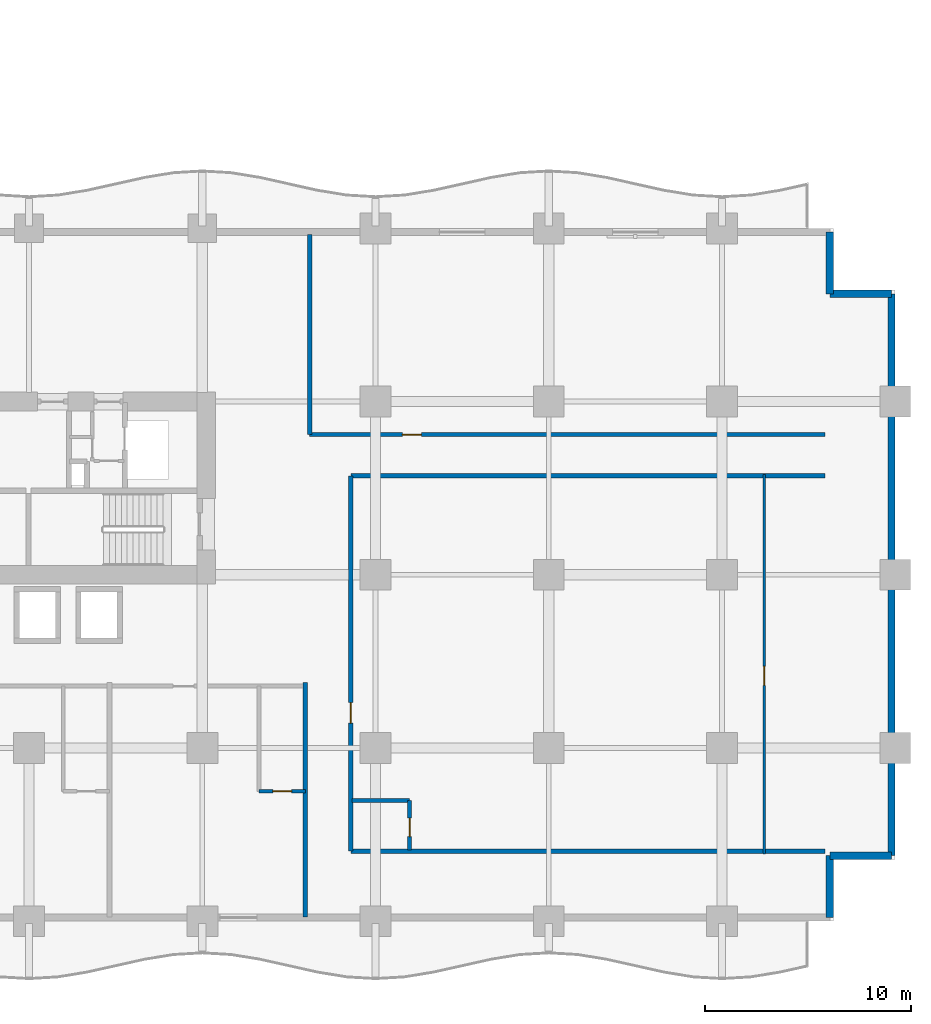
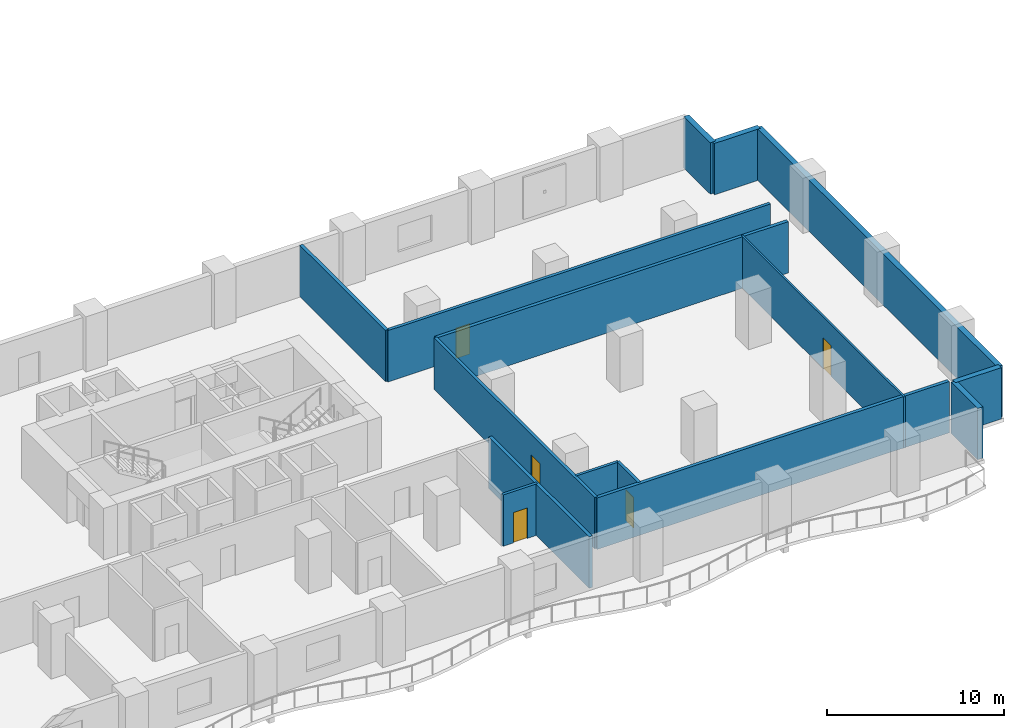
# One storey, part 14 of 22: 15 walls, 5 doors, 5 openings.
"""IFC4 building model written with IfcOpenShell, lengths in metres."""

from ifc_helpers import new_model, si_unit, direction, frame, frame_2d, origin, place, context, subcontext, project, spatial, rectangle, extrude, material, layer, layer_set, type_object, element, fill, save


model = new_model("IFC4")

# Units and contexts
model_context = context("Model", 3, precision=1e-05, world=origin(), true_north=direction((0.0, 1.0)))
body_context = subcontext(model_context, "Body", "Model", "MODEL_VIEW")
ifc_project = project(units=[si_unit("LENGTHUNIT", "METRE"), si_unit("AREAUNIT", "SQUARE_METRE"), si_unit("VOLUMEUNIT", "CUBIC_METRE"), si_unit("PLANEANGLEUNIT", "RADIAN"), si_unit("MASSUNIT", "GRAM", prefix="KILO")], contexts=[model_context])

# Site, building, storey
site_placement = place(None, origin())
site = spatial("IfcSite", under=ifc_project, at=site_placement, CompositionType="ELEMENT")
building_placement = place(site_placement, origin())
building = spatial("IfcBuilding", under=site, at=building_placement, Name="Koriwani Terraces Tower", CompositionType="ELEMENT")
storey_placement = place(building_placement, frame((0.0, 0.0, 62.39990234375)))
storey = spatial("IfcBuildingStorey", under=building, at=storey_placement, Name="L14", CompositionType="ELEMENT", Elevation=62.39990234375)

# Wall, opening, door
ifc_material_1 = material(Name="Autoclaved Cellular Concrete Blockwork", Category="masonry")
ifc_layer_1 = layer(ifc_material_1, 0.199951171875, Name="Autoclaved Cellular Concrete Blockwork")
ifc_layer_set_1 = layer_set([ifc_layer_1], Name="Autoclaved Cellular Concrete Blockwork")
wall_type_1 = type_object("IfcWallType", Name="WALL_CORRIDOR_200", PredefinedType="PARTITIONING", material=ifc_layer_set_1)
wall_1_placement = place(storey_placement, frame((66.0, 3.39990234375, 0.0), z_axis=(0.0, 0.0, 1.0), x_axis=(0.0, 1.0, 0.0)))
wall_1 = element("IfcWall", 1, at=wall_1_placement, inside=storey, type_object=wall_type_1, Name="L14 Interior Wall WGB-L14-ETIP-W", PredefinedType="PARTITIONING", context=body_context, shape_type="SweptSolid", body=[
    extrude(rectangle(XDim=18.2001953125, YDim=0.199951171875, at=frame_2d((9.10009765625, 0.0))), origin(), (0.0, 0.0, 1.0), 3.550048828125),
])
opening_1_placement = place(wall_1_placement, frame((6.199951171875, 0.0, 0.0)))
opening_1 = element("IfcOpeningElement", 2, at=opening_1_placement, cuts=wall_1, Name="Opening D-05", PredefinedType="OPENING", context=body_context, shape_type="SweptSolid", body=[
    extrude(rectangle(XDim=1.0, YDim=2.14990234375, at=frame_2d((0.5, 1.074951171875))), frame((0.0, 0.10986328125, 0.0), z_axis=(0.0, -1.0, 0.0), x_axis=(1.0, 0.0, 0.0)), (0.0, 0.0, 1.0), 0.219970703125),
])
ifc_material_2 = material(Name="Architectural Oak Fire Door", Category="wood")
door_type_1 = type_object("IfcDoorType", Name="DOOR_SUITE_ENTRY_1000X2150", OperationType="NOTDEFINED", PredefinedType="DOOR", material=ifc_material_2)
door_1_placement = place(opening_1_placement, origin())
door_1 = element("IfcDoor", 3, at=door_1_placement, inside=storey, type_object=door_type_1, Name="Ambassador Wing Suite 14E Entrance Door", OperationType="SINGLE_SWING_RIGHT", OverallHeight=2.14990234375, OverallWidth=1.0, PredefinedType="DOOR", context=body_context, shape_type="SweptSolid", body=[
    extrude(rectangle(XDim=1.0, YDim=2.14990234375, at=frame_2d((0.5, 1.074951171875))), frame((0.0, 0.02490234375, 0.0), z_axis=(0.0, -1.0, 0.0), x_axis=(1.0, 0.0, 0.0)), (0.0, 0.0, 1.0), 0.050048828125),
])
fill(opening_1, door_1)

wall_2_placement = place(storey_placement, frame((64.0, 23.60009765625, 0.0), z_axis=(0.0, 0.0, 1.0), x_axis=(1.0, 0.0, 0.0)))
wall_2 = element("IfcWall", 4, at=wall_2_placement, inside=storey, type_object=wall_type_1, Name="L14 Interior Wall WETIP2-S-L14", PredefinedType="PARTITIONING", context=body_context, shape_type="SweptSolid", body=[
    extrude(rectangle(XDim=25.0, YDim=0.199951171875, at=frame_2d((12.5, 0.0))), origin(), (0.0, 0.0, 1.0), 3.550048828125),
])
opening_2_placement = place(wall_2_placement, frame((4.5, 0.0, 0.0)))
opening_2 = element("IfcOpeningElement", 5, at=opening_2_placement, cuts=wall_2, Name="Opening D-06", PredefinedType="OPENING", context=body_context, shape_type="SweptSolid", body=[
    extrude(rectangle(XDim=0.919921875, YDim=2.10009765625, at=frame_2d((0.4599609375, 1.050048828125))), frame((0.0, 0.10986328125, 0.0), z_axis=(0.0, -1.0, 0.0), x_axis=(1.0, 0.0, 0.0)), (0.0, 0.0, 1.0), 0.219970703125),
])
door_type_2 = type_object("IfcDoorType", Name="DOOR_ROOM_INT_920X2100", OperationType="NOTDEFINED", PredefinedType="DOOR", material=ifc_material_2)
door_2_placement = place(opening_2_placement, origin())
door_2 = element("IfcDoor", 6, at=door_2_placement, inside=storey, type_object=door_type_2, Name="L14 East Panorama Salon Door", OperationType="SINGLE_SWING_LEFT", OverallHeight=2.10009765625, OverallWidth=0.919921875, PredefinedType="DOOR", context=body_context, shape_type="SweptSolid", body=[
    extrude(rectangle(XDim=0.919921875, YDim=2.10009765625, at=frame_2d((0.4599609375, 1.050048828125))), frame((0.0, 0.02490234375, 0.0), z_axis=(0.0, -1.0, 0.0), x_axis=(1.0, 0.0, 0.0)), (0.0, 0.0, 1.0), 0.050048828125),
])
fill(opening_2, door_2)

# Walls
ifc_layer_2 = layer(ifc_material_1, 0.219970703125, Name="Autoclaved Cellular Concrete Blockwork")
ifc_layer_set_2 = layer_set([ifc_layer_2], Name="Autoclaved Cellular Concrete Blockwork")
wall_type_2 = type_object("IfcWallType", Name="WALL_DEMISING_220", PredefinedType="PARTITIONING", material=ifc_layer_set_2)
wall_3_placement = place(storey_placement, frame((63.800048828125, 0.199951171875, 0.0), z_axis=(0.0, 0.0, 1.0), x_axis=(0.0, 1.0, 0.0)))
element("IfcWall", 7, at=wall_3_placement, inside=storey, type_object=wall_type_2, Name="L14 Interior Wall WDEME-L14-SW", PredefinedType="PARTITIONING", context=body_context, shape_type="SweptSolid", body=[
    extrude(rectangle(XDim=11.380126953125, YDim=0.219970703125, at=frame_2d((5.68994140625, 0.0))), origin(), (0.0, 0.0, 1.0), 3.550048828125),
])
for number, where, z_axis, x_axis, name in (
    (8, (66.0, 3.39990234375, 0.0), (0.0, 0.0, 1.0), (1.0, 0.0, 0.0), "L14 Interior Wall WGB-L14-ETIP-S"),
    (9, (66.0, 21.60009765625, 0.0), (0.0, 0.0, 1.0), (1.0, 0.0, 0.0), "L14 Interior Wall WGB-L14-ETIP-N"),
):
    element("IfcWall", number, at=place(storey_placement, frame(where, z_axis=z_axis, x_axis=x_axis)), inside=storey, type_object=wall_type_2, Name=name, PredefinedType="PARTITIONING", context=body_context, shape_type="SweptSolid", body=[
        extrude(rectangle(XDim=23.0, YDim=0.219970703125, at=frame_2d((11.5, 0.0))), origin(), (0.0, 0.0, 1.0), 3.550048828125),
    ])
wall_4_placement = place(storey_placement, frame((64.0, 23.60009765625, 0.0), z_axis=(0.0, 0.0, 1.0), x_axis=(0.0, 1.0, 0.0)))
element("IfcWall", 10, at=wall_4_placement, inside=storey, type_object=wall_type_2, Name="L14 Interior Wall WETIP2-W-L14", PredefinedType="PARTITIONING", context=body_context, shape_type="SweptSolid", body=[
    extrude(rectangle(XDim=9.699951171875, YDim=0.219970703125, at=frame_2d((4.85009765625, 0.0))), origin(), (0.0, 0.0, 1.0), 3.550048828125),
])
ifc_material_3 = material(Name="Concrete C50/60", Category="concrete")
ifc_layer_3 = layer(ifc_material_3, 0.35009765625, Name="Concrete C50/60")
ifc_layer_set_3 = layer_set([ifc_layer_3], Name="Concrete C50/60")
wall_type_3 = type_object("IfcWallType", Name="WALL_EXT_BRUTALIST_350", PredefinedType="STANDARD", material=ifc_layer_set_3)
for number, where, z_axis, x_axis, name in (
    (11, (89.22509765625, 33.425048828125, 0.0), (0.0, 0.0, 1.0), (0.0, -1.0, 0.0), "L14 Fair-Faced Brutalist Exterior Wall (N10)"),
    (12, (89.22509765625, 30.425048828125, 0.0), (0.0, 0.0, 1.0), (1.0, 0.0, 0.0), "L14 Fair-Faced Brutalist Exterior Wall (N11)"),
):
    element("IfcWall", number, at=place(storey_placement, frame(where, z_axis=z_axis, x_axis=x_axis)), inside=storey, type_object=wall_type_3, Name=name, PredefinedType="STANDARD", context=body_context, shape_type="SweptSolid", body=[
        extrude(rectangle(XDim=3.0, YDim=0.35009765625, at=frame_2d((1.5, 0.0))), origin(), (0.0, 0.0, 1.0), 3.550048828125),
    ])
wall_5_placement = place(storey_placement, frame((92.22509765625, 30.425048828125, 0.0), z_axis=(0.0, 0.0, 1.0), x_axis=(0.0, -1.0, 0.0)))
element("IfcWall", 13, at=wall_5_placement, inside=storey, type_object=wall_type_3, Name="L14 Fair-Faced Brutalist Exterior Wall (E_TIP)", PredefinedType="STANDARD", context=body_context, shape_type="SweptSolid", body=[
    extrude(rectangle(XDim=27.25, YDim=0.35009765625, at=frame_2d((13.625, 0.0))), origin(), (0.0, 0.0, 1.0), 3.550048828125),
])
for number, where, z_axis, x_axis, name in (
    (14, (92.22509765625, 3.175048828125, 0.0), (0.0, 0.0, 1.0), (-1.0, 0.0, 0.0), "L14 Fair-Faced Brutalist Exterior Wall (N13)"),
    (15, (89.22509765625, 3.175048828125, 0.0), (0.0, 0.0, 1.0), (0.0, -1.0, 0.0), "L14 Fair-Faced Brutalist Exterior Wall (N14)"),
):
    element("IfcWall", number, at=place(storey_placement, frame(where, z_axis=z_axis, x_axis=x_axis)), inside=storey, type_object=wall_type_3, Name=name, PredefinedType="STANDARD", context=body_context, shape_type="SweptSolid", body=[
        extrude(rectangle(XDim=3.0, YDim=0.35009765625, at=frame_2d((1.5, 0.0))), origin(), (0.0, 0.0, 1.0), 3.550048828125),
    ])

# Wall, opening, door
ifc_material_4 = material(Name="Fire-Rated Acoustic Gypsum Partition", Category="masonry")
ifc_layer_4 = layer(ifc_material_4, 0.125, Name="Fire-Rated Acoustic Gypsum Partition")
ifc_layer_set_4 = layer_set([ifc_layer_4], Name="Fire-Rated Acoustic Gypsum Partition")
wall_type_4 = type_object("IfcWallType", Name="WALL_INT_125", PredefinedType="PARTITIONING", material=ifc_layer_set_4)
wall_6_placement = place(storey_placement, frame((86.050048828125, 3.25, 0.0), z_axis=(0.0, 0.0, 1.0), x_axis=(0.0, 1.0, 0.0)))
wall_6 = element("IfcWall", 16, at=wall_6_placement, inside=storey, type_object=wall_type_4, Name="L14 Interior Wall WGB-L14-ETIP-BD", PredefinedType="PARTITIONING", context=body_context, shape_type="SweptSolid", body=[
    extrude(rectangle(XDim=18.39990234375, YDim=0.125, at=frame_2d((9.199951171875, 0.0))), origin(), (0.0, 0.0, 1.0), 3.550048828125),
])
opening_3_placement = place(wall_6_placement, frame((8.18994140625, 0.0, 0.0)))
opening_3 = element("IfcOpeningElement", 17, at=opening_3_placement, cuts=wall_6, Name="Opening D-06", PredefinedType="OPENING", context=body_context, shape_type="SweptSolid", body=[
    extrude(rectangle(XDim=0.919921875, YDim=2.10009765625, at=frame_2d((0.4599609375, 1.050048828125))), frame((0.0, 0.072509765625, 0.0), z_axis=(0.0, -1.0, 0.0), x_axis=(1.0, 0.0, 0.0)), (0.0, 0.0, 1.0), 0.14501953125),
])
door_3_placement = place(opening_3_placement, origin())
door_3 = element("IfcDoor", 18, at=door_3_placement, inside=storey, type_object=door_type_2, Name="Ambassador Wing Suite 14E Master Suite Door", OperationType="SINGLE_SWING_RIGHT", OverallHeight=2.10009765625, OverallWidth=0.919921875, PredefinedType="DOOR", context=body_context, shape_type="SweptSolid", body=[
    extrude(rectangle(XDim=0.919921875, YDim=2.10009765625, at=frame_2d((0.4599609375, 1.050048828125))), frame((0.0, 0.02490234375, 0.0), z_axis=(0.0, -1.0, 0.0), x_axis=(1.0, 0.0, 0.0)), (0.0, 0.0, 1.0), 0.050048828125),
])
fill(opening_3, door_3)

ifc_layer_5 = layer(ifc_material_4, 0.179931640625, Name="Fire-Rated Acoustic Gypsum Partition")
ifc_layer_set_5 = layer_set([ifc_layer_5], Name="Fire-Rated Acoustic Gypsum Partition")
wall_type_5 = type_object("IfcWallType", Name="WALL_PLUMBING_180", PredefinedType="PLUMBINGWALL", material=ifc_layer_set_5)
wall_7_placement = place(storey_placement, frame((61.550048828125, 6.300048828125, 0.0), z_axis=(0.0, 0.0, 1.0), x_axis=(1.0, 0.0, 0.0)))
wall_7 = element("IfcWall", 19, at=wall_7_placement, inside=storey, type_object=wall_type_5, Name="L14 Interior Wall WBTH1-L14-SW-4", PredefinedType="PLUMBINGWALL", context=body_context, shape_type="SweptSolid", body=[
    extrude(rectangle(XDim=2.25, YDim=0.179931640625, at=frame_2d((1.125, 0.0))), origin(), (0.0, 0.0, 1.0), 3.550048828125),
])
opening_4_placement = place(wall_7_placement, frame((0.675048828125, 0.0, 0.0)))
opening_4 = element("IfcOpeningElement", 20, at=opening_4_placement, cuts=wall_7, Name="Opening D-07", PredefinedType="OPENING", context=body_context, shape_type="SweptSolid", body=[
    extrude(rectangle(XDim=0.89990234375, YDim=2.10009765625, at=frame_2d((0.449951171875, 1.050048828125))), frame((0.0, 0.10009765625, 0.0), z_axis=(0.0, -1.0, 0.0), x_axis=(1.0, 0.0, 0.0)), (0.0, 0.0, 1.0), 0.199951171875),
])
door_type_3 = type_object("IfcDoorType", Name="DOOR_BATH_INT_900X2100", OperationType="NOTDEFINED", PredefinedType="DOOR", material=ifc_material_2)
door_4_placement = place(opening_4_placement, origin())
door_4 = element("IfcDoor", 21, at=door_4_placement, inside=storey, type_object=door_type_3, Name="En-Suite Bathroom 14SW5 Door", OperationType="SINGLE_SWING_LEFT", OverallHeight=2.10009765625, OverallWidth=0.89990234375, PredefinedType="DOOR", context=body_context, shape_type="SweptSolid", body=[
    extrude(rectangle(XDim=0.89990234375, YDim=2.10009765625, at=frame_2d((0.449951171875, 1.050048828125))), frame((0.0, 0.02490234375, 0.0), z_axis=(0.0, -1.0, 0.0), x_axis=(1.0, 0.0, 0.0)), (0.0, 0.0, 1.0), 0.050048828125),
])
fill(opening_4, door_4)

wall_8_placement = place(storey_placement, frame((68.85009765625, 3.449951171875, 0.0), z_axis=(0.0, 0.0, 1.0), x_axis=(0.0, 1.0, 0.0)))
wall_8 = element("IfcWall", 22, at=wall_8_placement, inside=storey, type_object=wall_type_5, Name="L14 Interior Wall WGB-L14-ETIP-SVB", PredefinedType="PLUMBINGWALL", context=body_context, shape_type="SweptSolid", body=[
    extrude(rectangle(XDim=2.400146484375, YDim=0.179931640625, at=frame_2d((1.2001953125, 0.0))), origin(), (0.0, 0.0, 1.0), 3.550048828125),
])
opening_5_placement = place(wall_8_placement, frame((0.64990234375, 0.0, 0.0)))
opening_5 = element("IfcOpeningElement", 23, at=opening_5_placement, cuts=wall_8, Name="Opening D-07", PredefinedType="OPENING", context=body_context, shape_type="SweptSolid", body=[
    extrude(rectangle(XDim=0.89990234375, YDim=2.10009765625, at=frame_2d((0.449951171875, 1.050048828125))), frame((0.0, 0.10009765625, 0.0), z_axis=(0.0, -1.0, 0.0), x_axis=(1.0, 0.0, 0.0)), (0.0, 0.0, 1.0), 0.199951171875),
])
door_5_placement = place(opening_5_placement, origin())
door_5 = element("IfcDoor", 24, at=door_5_placement, inside=storey, type_object=door_type_3, Name="Ambassador Wing Suite 14E Bathroom Door", OperationType="SINGLE_SWING_LEFT", OverallHeight=2.10009765625, OverallWidth=0.89990234375, PredefinedType="DOOR", context=body_context, shape_type="SweptSolid", body=[
    extrude(rectangle(XDim=0.89990234375, YDim=2.10009765625, at=frame_2d((0.449951171875, 1.050048828125))), frame((0.0, 0.02490234375, 0.0), z_axis=(0.0, -1.0, 0.0), x_axis=(1.0, 0.0, 0.0)), (0.0, 0.0, 1.0), 0.050048828125),
])
fill(opening_5, door_5)

# Wall
wall_9_placement = place(storey_placement, frame((66.050048828125, 5.85009765625, 0.0), z_axis=(0.0, 0.0, 1.0), x_axis=(1.0, 0.0, 0.0)))
element("IfcWall", 25, at=wall_9_placement, inside=storey, type_object=wall_type_5, Name="L14 Interior Wall WGB-L14-ETIP-SV2", PredefinedType="PLUMBINGWALL", context=body_context, shape_type="SweptSolid", body=[
    extrude(rectangle(XDim=2.800048828125, YDim=0.179931640625, at=frame_2d((1.39990234375, 0.0))), origin(), (0.0, 0.0, 1.0), 3.550048828125),
])

save(model, "model.ifc")
